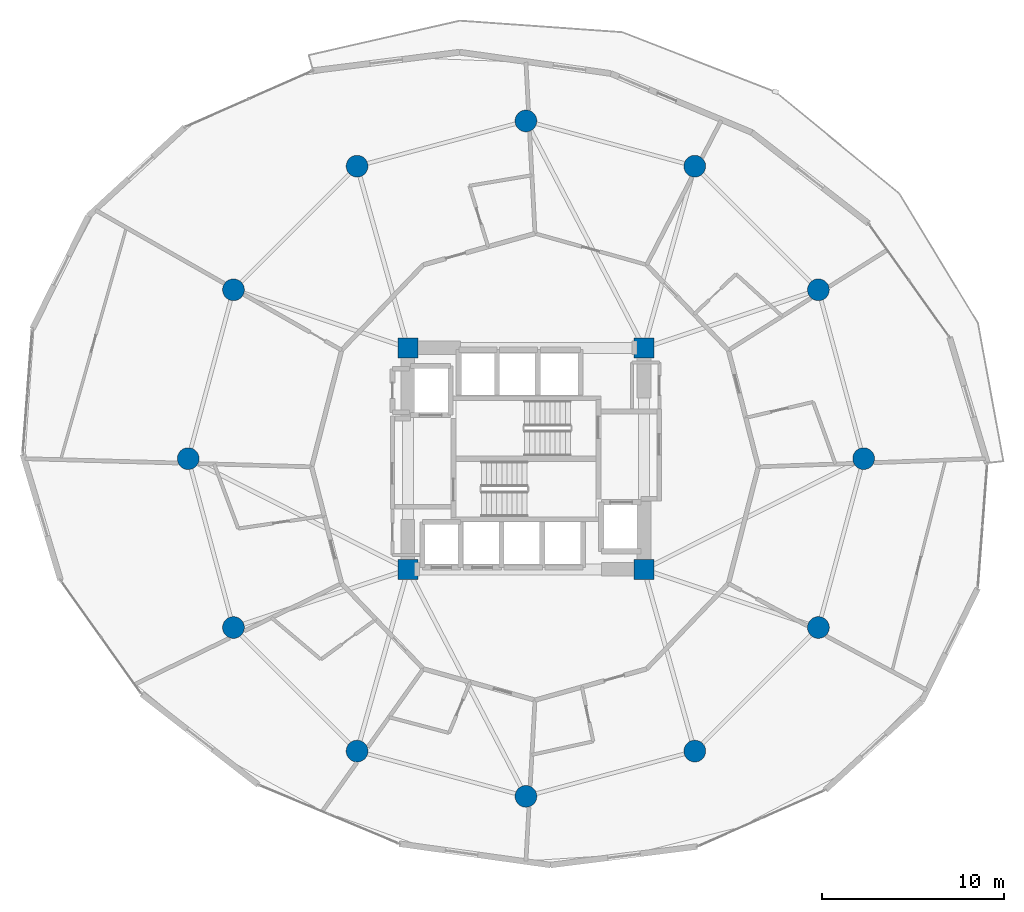
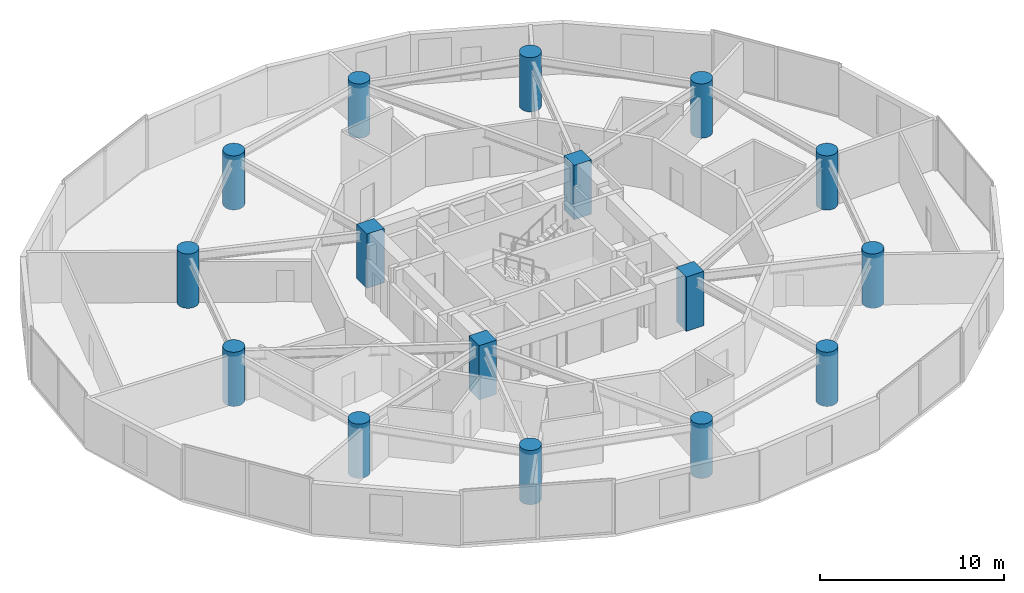
# One storey, part 1 of 25: 16 columns.
"""IFC4 building model written with IfcOpenShell, lengths in metres."""

from ifc_helpers import new_model, si_unit, direction, frame, origin, origin_2d, place, context, subcontext, project, spatial, rectangle, circle, extrude, material, material_profile, profile_set, type_object, element, save


model = new_model("IFC4")

# Units and contexts
model_context = context("Model", 3, precision=1e-05, world=origin(), true_north=direction((0.0, 1.0)))
body_context = subcontext(model_context, "Body", "Model", "MODEL_VIEW")
ifc_project = project(units=[si_unit("LENGTHUNIT", "METRE"), si_unit("AREAUNIT", "SQUARE_METRE"), si_unit("VOLUMEUNIT", "CUBIC_METRE"), si_unit("PLANEANGLEUNIT", "RADIAN"), si_unit("MASSUNIT", "GRAM", prefix="KILO")], contexts=[model_context])

# Site, building, storey
site_placement = place(None, origin())
site = spatial("IfcSite", under=ifc_project, at=site_placement, CompositionType="ELEMENT")
building_placement = place(site_placement, origin())
building = spatial("IfcBuilding", under=site, at=building_placement, Name="Solvirekh Grand Hotel", CompositionType="ELEMENT")
storey_placement = place(building_placement, frame((0.0, 0.0, 60.800048828125)))
storey = spatial("IfcBuildingStorey", under=building, at=storey_placement, Name="L14", CompositionType="ELEMENT", Elevation=60.800048828125)

# Columns
ifc_material = material(Name="Concrete C60/75", Category="concrete")
ifc_material_profile_1 = material_profile(ifc_material, rectangle(XDim=1.10009765625, YDim=1.10009765625, at=origin_2d()), Name="RC 1100X1100")
ifc_profile_set_1 = profile_set([ifc_material_profile_1], Name="Concrete C60/75")
column_type_1 = type_object("IfcColumnType", Name="Col_Core_1100", PredefinedType="COLUMN", material=ifc_profile_set_1)
for number, where, z_axis, x_axis, name in (
    (1, (-6.5, -6.10009765625, 0.0), (0.0, 0.0, 1.0), (1.0, 0.0, 0.0), "L14 core corner column CC1"),
    (2, (6.5, -6.10009765625, 0.0), (0.0, 0.0, 1.0), (1.0, 0.0, 0.0), "L14 core corner column CC2"),
    (3, (6.5, 6.10009765625, 0.0), (0.0, 0.0, 1.0), (1.0, 0.0, 0.0), "L14 core corner column CC3"),
    (4, (-6.5, 6.10009765625, 0.0), (0.0, 0.0, 1.0), (1.0, 0.0, 0.0), "L14 core corner column CC4"),
):
    element("IfcColumn", number, at=place(storey_placement, frame(where, z_axis=z_axis, x_axis=x_axis)), inside=storey, type_object=column_type_1, Name=name, PredefinedType="COLUMN", context=body_context, shape_type="SweptSolid", body=[
        extrude(rectangle(XDim=1.10009765625, YDim=1.10009765625, at=origin_2d()), origin(), (0.0, 0.0, 1.0), 3.599853515625),
    ])
ifc_material_profile_2 = material_profile(ifc_material, circle(Radius=0.60009765625, at=origin_2d()), Name="RC CIRC D1200")
ifc_profile_set_2 = profile_set([ifc_material_profile_2], Name="Concrete C60/75")
column_type_2 = type_object("IfcColumnType", Name="Col_Z1_D1200", PredefinedType="COLUMN", material=ifc_profile_set_2)
for number, where, z_axis, x_axis, name in (
    (5, (18.60009765625, 0.0, 0.0), (0.0, 0.0, 1.0), (1.0, 0.0, 0.0), "L14 perimeter column P01"),
    (6, (16.10791015625, 9.300048828125, 0.0), (0.0, 0.0, 1.0), (1.0, 0.0, 0.0), "L14 perimeter column P02"),
    (7, (9.300048828125, 16.10791015625, 0.0), (0.0, 0.0, 1.0), (1.0, 0.0, 0.0), "L14 perimeter column P03"),
    (8, (0.0, 18.60009765625, 0.0), (0.0, 0.0, 1.0), (1.0, 0.0, 0.0), "L14 perimeter column P04"),
    (9, (-9.300048828125, 16.10791015625, 0.0), (0.0, 0.0, 1.0), (1.0, 0.0, 0.0), "L14 perimeter column P05"),
    (10, (-16.10791015625, 9.300048828125, 0.0), (0.0, 0.0, 1.0), (1.0, 0.0, 0.0), "L14 perimeter column P06"),
    (11, (-18.60009765625, 0.0, 0.0), (0.0, 0.0, 1.0), (1.0, 0.0, 0.0), "L14 perimeter column P07"),
    (12, (-16.10791015625, -9.300048828125, 0.0), (0.0, 0.0, 1.0), (1.0, 0.0, 0.0), "L14 perimeter column P08"),
    (13, (-9.300048828125, -16.10791015625, 0.0), (0.0, 0.0, 1.0), (1.0, 0.0, 0.0), "L14 perimeter column P09"),
    (14, (0.0, -18.60009765625, 0.0), (0.0, 0.0, 1.0), (1.0, 0.0, 0.0), "L14 perimeter column P10"),
    (15, (9.300048828125, -16.10791015625, 0.0), (0.0, 0.0, 1.0), (1.0, 0.0, 0.0), "L14 perimeter column P11"),
    (16, (16.10791015625, -9.300048828125, 0.0), (0.0, 0.0, 1.0), (1.0, 0.0, 0.0), "L14 perimeter column P12"),
):
    element("IfcColumn", number, at=place(storey_placement, frame(where, z_axis=z_axis, x_axis=x_axis)), inside=storey, type_object=column_type_2, Name=name, PredefinedType="COLUMN", context=body_context, shape_type="SweptSolid", body=[
        extrude(circle(Radius=0.60009765625, at=origin_2d()), origin(), (0.0, 0.0, 1.0), 3.599853515625),
    ])

save(model, "model.ifc")
